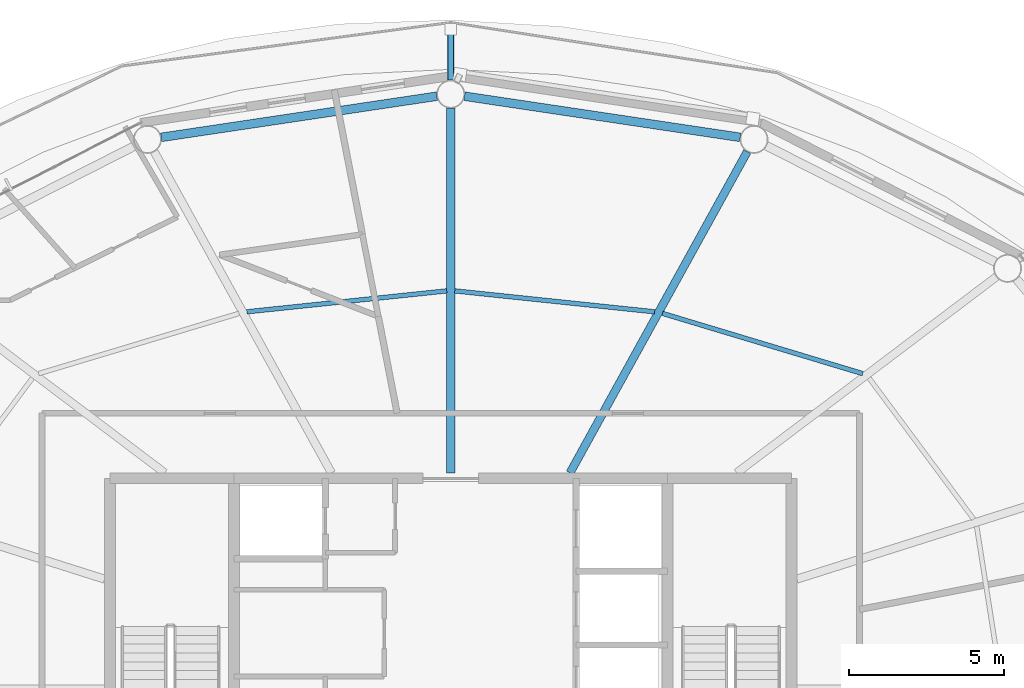
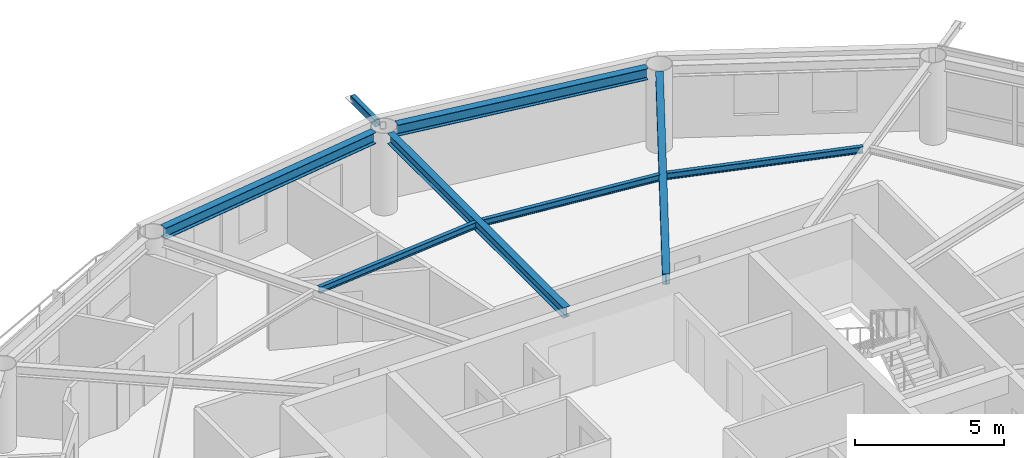
# One storey, part 10 of 21: 7 beams, 1 member.
"""IFC4 building model written with IfcOpenShell, lengths in metres."""

from ifc_helpers import new_model, si_unit, direction, frame, origin, origin_2d, place, context, subcontext, project, spatial, hollow_rectangle, i_section, extrude, material, material_profile, profile_set, type_object, element, save


model = new_model("IFC4")

# Units and contexts
model_context = context("Model", 3, precision=1e-05, world=origin(), true_north=direction((0.0, 1.0)))
body_context = subcontext(model_context, "Body", "Model", "MODEL_VIEW")
ifc_project = project(units=[si_unit("LENGTHUNIT", "METRE"), si_unit("AREAUNIT", "SQUARE_METRE"), si_unit("VOLUMEUNIT", "CUBIC_METRE"), si_unit("PLANEANGLEUNIT", "RADIAN"), si_unit("MASSUNIT", "GRAM", prefix="KILO")], contexts=[model_context])

# Site, building, storey
site_placement = place(None, origin())
site = spatial("IfcSite", under=ifc_project, at=site_placement, CompositionType="ELEMENT")
building_placement = place(site_placement, origin())
building = spatial("IfcBuilding", under=site, at=building_placement, Name="Sarneth Arch Tower", CompositionType="ELEMENT")
storey_placement = place(building_placement, frame((0.0, 0.0, 309.0)))
storey = spatial("IfcBuildingStorey", under=building, at=storey_placement, Name="L80", CompositionType="ELEMENT", Elevation=309.0)

# Beams
ifc_material_1 = material(Name="Steel S355", Category="steel")
ifc_material_profile_1 = material_profile(ifc_material_1, i_section(OverallWidth=0.14794921875, OverallDepth=0.26611328125, WebThickness=0.007568359375, FlangeThickness=0.012939453125, FilletRadius=0.012939453125, at=origin_2d()), Name="W250x44.8")
ifc_profile_set_1 = profile_set([ifc_material_profile_1], Name="Steel S355")
beam_type_1 = type_object("IfcBeamType", Name="BM-JOIST-250", PredefinedType="JOIST", material=ifc_profile_set_1)
beam_1_placement = place(storey_placement, frame((61.301025390625, 52.177490234375, 3.237060546875), z_axis=(-0.95760703602, 0.288077705776, 0.0), x_axis=(-0.288077705776, -0.95760703602, 0.0)))
element("IfcBeam", 1, at=beam_1_placement, inside=storey, type_object=beam_type_1, Name="L80 Secondary floor joist 03", PredefinedType="JOIST", context=body_context, shape_type="SweptSolid", body=[
    extrude(i_section(OverallWidth=0.14794921875, OverallDepth=0.26611328125, WebThickness=0.007568359375, FlangeThickness=0.012939453125, FilletRadius=0.012939453125, at=origin_2d()), origin(), (0.0, 0.0, 1.0), 6.7509765625),
])
for number, where, z_axis, x_axis, name in (
    (2, (54.582275390625, 54.17333984375, 3.237060546875), (-0.994564879221, 0.104118687178, 0.0), (-0.104118687178, -0.994564879221, 0.0), "L80 Secondary floor joist 04"),
    (3, (47.87060546875, 54.848876953125, 3.237060546875), (-0.994564879221, -0.104118687178, 0.0), (0.104118687178, -0.994564879221, 0.0), "L80 Secondary floor joist 05"),
):
    element("IfcBeam", number, at=place(storey_placement, frame(where, z_axis=z_axis, x_axis=x_axis)), inside=storey, type_object=beam_type_1, Name=name, PredefinedType="JOIST", context=body_context, shape_type="SweptSolid", body=[
        extrude(i_section(OverallWidth=0.14794921875, OverallDepth=0.26611328125, WebThickness=0.007568359375, FlangeThickness=0.012939453125, FilletRadius=0.012939453125, at=origin_2d()), origin(), (0.0, 0.0, 1.0), 6.488037109375),
    ])
ifc_material_2 = material(Name="Steel S355", Category="steel")
ifc_material_profile_2 = material_profile(ifc_material_2, i_section(OverallWidth=0.260009765625, OverallDepth=0.4150390625, WebThickness=0.010009765625, FlangeThickness=0.016845703125, FilletRadius=0.01611328125, at=origin_2d()), Name="W410x100")
ifc_profile_set_2 = profile_set([ifc_material_profile_2], Name="Steel S355")
beam_type_2 = type_object("IfcBeamType", Name="BM-RAD-410A", PredefinedType="BEAM", material=ifc_profile_set_2)
beam_2_placement = place(storey_placement, frame((51.849853515625, 48.97509765625, 3.16259765625), z_axis=(0.483229367873, 0.875493790969, 0.0), x_axis=(-0.875493790969, 0.483229367873, 0.0)))
element("IfcBeam", 4, at=beam_2_placement, inside=storey, type_object=beam_type_2, Name="L80 Radial floor girder 04", PredefinedType="BEAM", context=body_context, shape_type="SweptSolid", body=[
    extrude(i_section(OverallWidth=0.260009765625, OverallDepth=0.4150390625, WebThickness=0.010009765625, FlangeThickness=0.016845703125, FilletRadius=0.01611328125, at=origin_2d()), origin(), (0.0, 0.0, 1.0), 11.843994140625),
])
beam_3_placement = place(storey_placement, frame((48.0, 48.97509765625, 3.16259765625), z_axis=(0.0, 1.0, 0.0), x_axis=(-1.0, 0.0, 0.0)))
element("IfcBeam", 5, at=beam_3_placement, inside=storey, type_object=beam_type_2, Name="L80 Radial floor girder 05", PredefinedType="BEAM", context=body_context, shape_type="SweptSolid", body=[
    extrude(i_section(OverallWidth=0.260009765625, OverallDepth=0.4150390625, WebThickness=0.010009765625, FlangeThickness=0.016845703125, FilletRadius=0.01611328125, at=origin_2d()), origin(), (0.0, 0.0, 1.0), 11.77490234375),
])
ifc_material_3 = material(Name="Steel S355", Category="steel")
ifc_material_profile_3 = material_profile(ifc_material_3, i_section(OverallWidth=0.280029296875, OverallDepth=0.462890625, WebThickness=0.0107421875, FlangeThickness=0.017333984375, FilletRadius=0.01806640625, at=origin_2d()), Name="W460x113")
ifc_profile_set_3 = profile_set([ifc_material_profile_3], Name="Steel S355")
beam_type_3 = type_object("IfcBeamType", Name="BM-RAD-460A", PredefinedType="BEAM", material=ifc_profile_set_3)
for number, where, z_axis, x_axis, name in (
    (6, (57.345703125, 59.804931640625, 3.138427734375), (-0.989041765772, 0.147635990052, 0.0), (-0.147635990052, -0.989041765772, 0.0), "L80 Perimeter spandrel beam 04"),
    (7, (47.554931640625, 61.133544921875, 3.138427734375), (-0.989041765772, -0.147635990052, 0.0), (0.147635990052, -0.989041765772, 0.0), "L80 Perimeter spandrel beam 05"),
):
    element("IfcBeam", number, at=place(storey_placement, frame(where, z_axis=z_axis, x_axis=x_axis)), inside=storey, type_object=beam_type_3, Name=name, PredefinedType="BEAM", context=body_context, shape_type="SweptSolid", body=[
        extrude(i_section(OverallWidth=0.280029296875, OverallDepth=0.462890625, WebThickness=0.0107421875, FlangeThickness=0.017333984375, FilletRadius=0.01806640625, at=origin_2d()), origin(), (0.0, 0.0, 1.0), 8.999267578125),
    ])

# Member
ifc_material_4 = material(Name="Steel S355", Category="steel")
ifc_material_profile_4 = material_profile(ifc_material_4, hollow_rectangle(XDim=0.199951171875, YDim=0.300048828125, WallThickness=0.012451171875, InnerFilletRadius=0.018798828125, OuterFilletRadius=0.03125, at=origin_2d()), Name="RHS300x200x12.5")
ifc_profile_set_4 = profile_set([ifc_material_profile_4], Name="Steel S355")
member_type = type_object("IfcMemberType", Name="MEM-CANT-STRUT", PredefinedType="STRUT", material=ifc_profile_set_4)
member_placement = place(storey_placement, frame((48.0, 61.64990234375, 3.2099609375), z_axis=(0.0, 1.0, 0.0), x_axis=(-1.0, 0.0, 0.0)))
element("IfcMember", 8, at=member_placement, inside=storey, type_object=member_type, Name="L80 Balcony cantilever bracket 05", PredefinedType="STRUT", context=body_context, shape_type="SweptSolid", body=[
    extrude(hollow_rectangle(XDim=0.199951171875, YDim=0.300048828125, WallThickness=0.012451171875, InnerFilletRadius=0.018798828125, OuterFilletRadius=0.03125, at=origin_2d()), origin(), (0.0, 0.0, 1.0), 1.641845703125),
])

save(model, "model.ifc")
